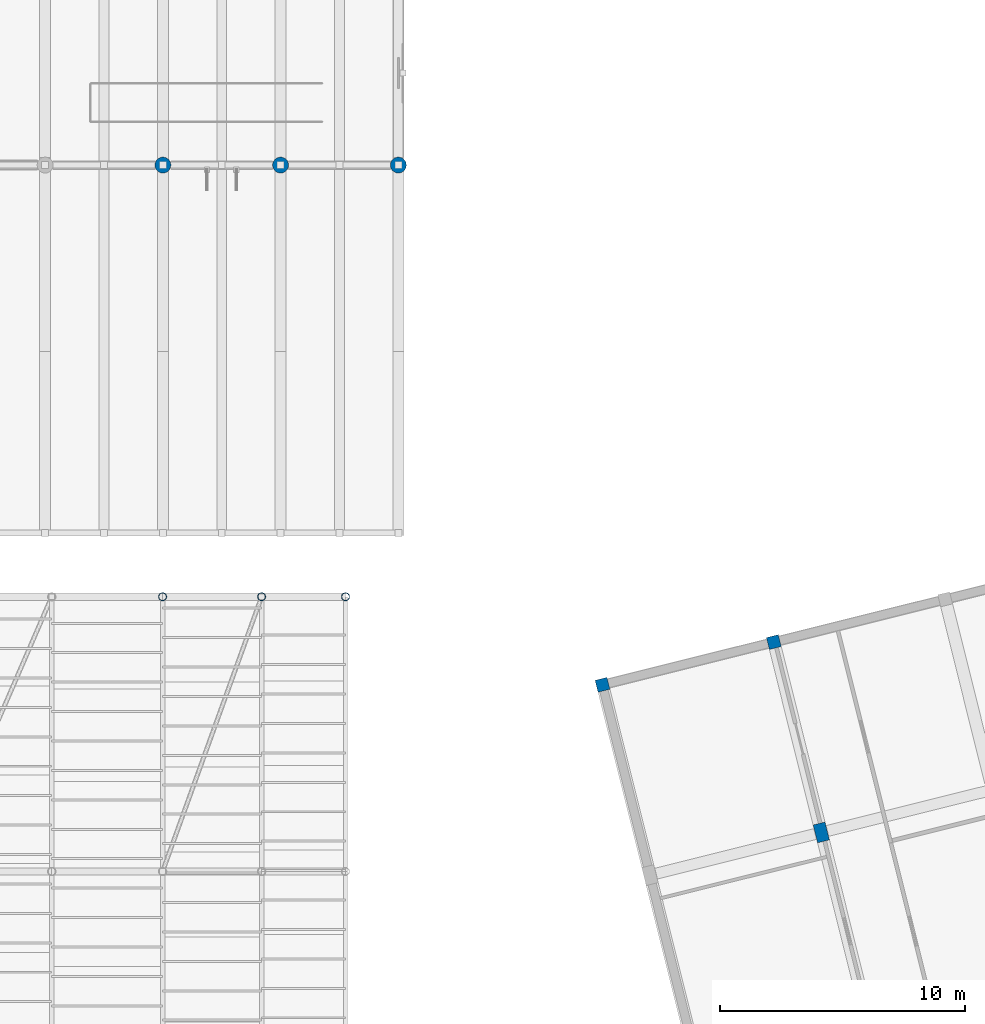
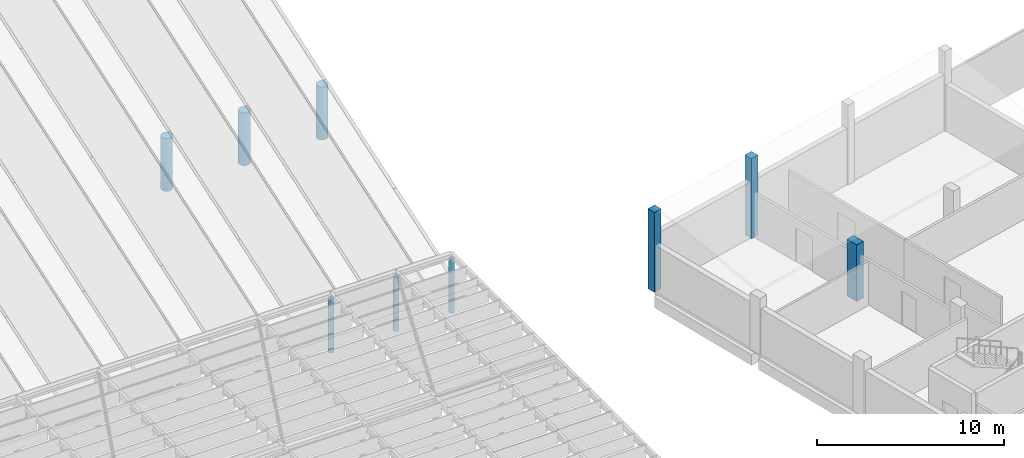
# One storey, part 10 of 47: 9 columns.
"""IFC4 building model written with IfcOpenShell, lengths in metres."""

from ifc_helpers import new_model, si_unit, direction, frame, origin, origin_2d, place, context, subcontext, project, spatial, rectangle, circle, hollow_circle, extrude, material, material_profile, profile_set, type_object, element, save


model = new_model("IFC4")

# Units and contexts
model_context = context("Model", 3, precision=1e-05, world=origin(), true_north=direction((0.0, 1.0)))
body_context = subcontext(model_context, "Body", "Model", "MODEL_VIEW")
ifc_project = project(units=[si_unit("LENGTHUNIT", "METRE"), si_unit("AREAUNIT", "SQUARE_METRE"), si_unit("VOLUMEUNIT", "CUBIC_METRE"), si_unit("PLANEANGLEUNIT", "RADIAN"), si_unit("MASSUNIT", "GRAM", prefix="KILO")], contexts=[model_context])

# Site, building, storey
site_placement = place(None, origin())
site = spatial("IfcSite", under=ifc_project, at=site_placement, CompositionType="ELEMENT")
building_placement = place(site_placement, origin())
building = spatial("IfcBuilding", under=site, at=building_placement, Name="Mawjan Specialist Oncology Clinic", CompositionType="ELEMENT")
storey_placement = place(building_placement, frame((0.0, 0.0, 9.5)))
storey = spatial("IfcBuildingStorey", under=building, at=storey_placement, Name="L02", CompositionType="ELEMENT", Elevation=9.5)

# Columns
ifc_material_1 = material(Name="Concrete C45/55", Category="concrete")
ifc_material_profile_1 = material_profile(ifc_material_1, rectangle(XDim=0.5, YDim=0.5, at=origin_2d()), Name="RC COL 500x500", Category="concrete")
ifc_profile_set_1 = profile_set([ifc_material_profile_1], Name="Concrete C45/55")
column_type_1 = type_object("IfcColumnType", Name="C-500", PredefinedType="COLUMN", material=ifc_profile_set_1)
for number, where, z_axis, x_axis, name in (
    (1, (116.3232421875, 39.61181640625, 0.0), (0.0, 0.0, 1.0), (0.970295726276, 0.2419218956, 0.0), "L02 Column R-RA-R6"),
    (2, (123.309326171875, 41.353759765625, 0.0), (0.0, 0.0, 1.0), (0.970295726276, 0.2419218956, 0.0), "L02 Column R-RB-R6"),
):
    element("IfcColumn", number, at=place(storey_placement, frame(where, z_axis=z_axis, x_axis=x_axis)), inside=storey, type_object=column_type_1, Name=name, PredefinedType="COLUMN", context=body_context, shape_type="SweptSolid", body=[
        extrude(rectangle(XDim=0.5, YDim=0.5, at=origin_2d()), origin(), (0.0, 0.0, 1.0), 5.22607421875),
    ])
ifc_material_2 = material(Name="Concrete C45/55", Category="concrete")
ifc_material_profile_2 = material_profile(ifc_material_2, rectangle(XDim=0.5, YDim=0.75, at=origin_2d()), Name="RC COL 500x750", Category="concrete")
ifc_profile_set_2 = profile_set([ifc_material_profile_2], Name="Concrete C45/55")
column_type_2 = type_object("IfcColumnType", Name="C-500x750", PredefinedType="COLUMN", material=ifc_profile_set_2)
column_placement = place(storey_placement, frame((125.24462890625, 33.59130859375, 0.0), z_axis=(0.0, 0.0, 1.0), x_axis=(0.970295726276, 0.2419218956, 0.0)))
element("IfcColumn", 3, at=column_placement, inside=storey, type_object=column_type_2, Name="L02 Column R-RB-R5", PredefinedType="COLUMN", context=body_context, shape_type="SweptSolid", body=[
    extrude(rectangle(XDim=0.5, YDim=0.75, at=origin_2d()), origin(), (0.0, 0.0, 1.0), 3.699951171875),
])
ifc_material_3 = material(Name="Concrete C45/55", Category="concrete")
ifc_material_profile_3 = material_profile(ifc_material_3, circle(Radius=0.324951171875, at=origin_2d()), Name="RC COL D650", Category="concrete")
ifc_profile_set_3 = profile_set([ifc_material_profile_3], Name="Concrete C45/55")
column_type_3 = type_object("IfcColumnType", Name="C-D650", PredefinedType="COLUMN", material=ifc_profile_set_3)
for number, where, z_axis, x_axis, name in (
    (4, (98.39990234375, 60.800048828125, 0.0), (0.0, 0.0, 1.0), (1.0, 0.0, 0.0), "Hall Valley L02 Column 9-60"),
    (5, (103.199951171875, 60.800048828125, 0.0), (0.0, 0.0, 1.0), (1.0, 0.0, 0.0), "Hall Valley L02 Column 10-60"),
    (6, (108.0, 60.800048828125, 0.0), (0.0, 0.0, 1.0), (1.0, 0.0, 0.0), "Hall Valley L02 Column 11-60"),
):
    element("IfcColumn", number, at=place(storey_placement, frame(where, z_axis=z_axis, x_axis=x_axis)), inside=storey, type_object=column_type_3, Name=name, PredefinedType="COLUMN", context=body_context, shape_type="SweptSolid", body=[
        extrude(circle(Radius=0.324951171875, at=origin_2d()), origin(), (0.0, 0.0, 1.0), 3.449951171875),
    ])
ifc_material_4 = material(Name="Structural steel S355", Category="steel")
ifc_material_profile_4 = material_profile(ifc_material_4, hollow_circle(Radius=0.161865234375, WallThickness=0.011962890625, at=origin_2d()), Name="CHS 323.9x12", Category="steel")
ifc_profile_set_4 = profile_set([ifc_material_profile_4], Name="Structural steel S355")
column_type_4 = type_object("IfcColumnType", Name="SC-CHS324", PredefinedType="COLUMN", material=ifc_profile_set_4)
for number, where, z_axis, x_axis, name in (
    (7, (98.388671875, 43.199951171875, 0.0), (0.0, 0.0, 1.0), (1.0, 0.0, 0.0), "Courtyard North Colonnade Column 09 L02"),
    (8, (102.426513671875, 43.199951171875, 0.0), (0.0, 0.0, 1.0), (1.0, 0.0, 0.0), "Courtyard North Colonnade Column 10 L02"),
    (9, (105.847412109375, 43.199951171875, 0.0), (0.0, 0.0, 1.0), (1.0, 0.0, 0.0), "Courtyard North Colonnade Column 11 L02"),
):
    element("IfcColumn", number, at=place(storey_placement, frame(where, z_axis=z_axis, x_axis=x_axis)), inside=storey, type_object=column_type_4, Name=name, PredefinedType="COLUMN", context=body_context, shape_type="SweptSolid", body=[
        extrude(hollow_circle(Radius=0.161865234375, WallThickness=0.011962890625, at=origin_2d()), origin(), (0.0, 0.0, 1.0), 3.5),
    ])

save(model, "model.ifc")
